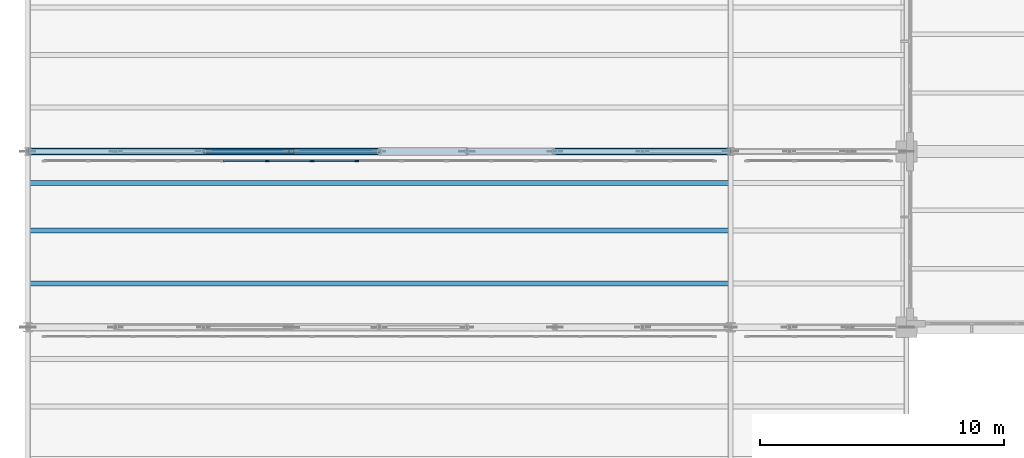
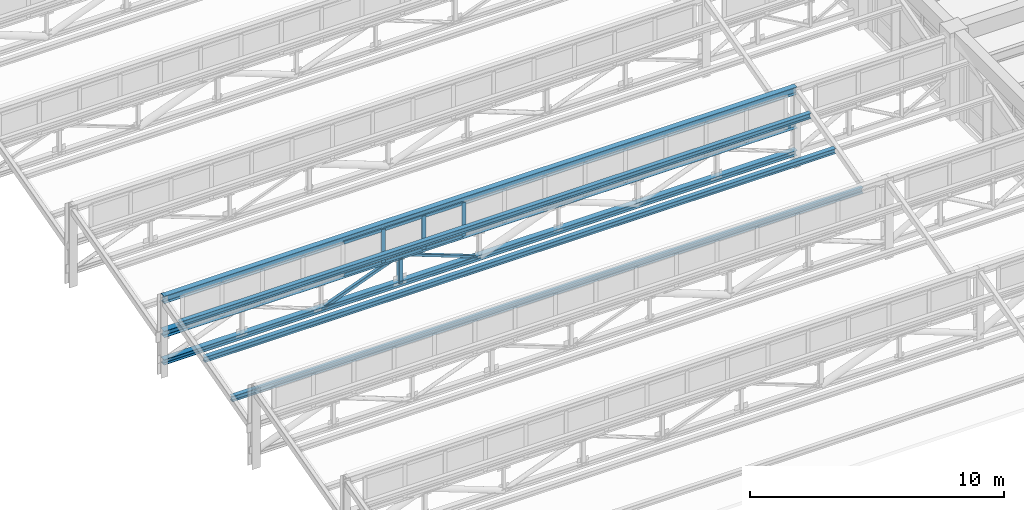
# One storey, part 14 of 98: 14 members, 4 beams, 1 element without a shape of its own.
"""IFC4 building model written with IfcOpenShell, lengths in metres."""

from ifc_helpers import new_model, si_unit, direction, frame, origin, origin_2d, place, context, subcontext, project, spatial, rectangle, hollow_rectangle, i_section, extrude, material, layer, layer_set, material_profile, profile_set, type_object, element, aggregate, save


model = new_model("IFC4")

# Units and contexts
model_context = context("Model", 3, precision=1e-05, world=origin(), true_north=direction((0.0, 1.0)))
body_context = subcontext(model_context, "Body", "Model", "MODEL_VIEW")
ifc_project = project(units=[si_unit("LENGTHUNIT", "METRE"), si_unit("AREAUNIT", "SQUARE_METRE"), si_unit("VOLUMEUNIT", "CUBIC_METRE"), si_unit("PLANEANGLEUNIT", "RADIAN"), si_unit("MASSUNIT", "GRAM", prefix="KILO")], contexts=[model_context])

# Site, building, storey
site_placement = place(None, origin())
site = spatial("IfcSite", under=ifc_project, at=site_placement, CompositionType="ELEMENT")
building_placement = place(site_placement, origin())
building = spatial("IfcBuilding", under=site, at=building_placement, Name="Solenvale Faculty of Natural Sciences", CompositionType="ELEMENT")
storey_placement = place(building_placement, frame((0.0, 0.0, 9.0)))
storey = spatial("IfcBuildingStorey", under=building, at=storey_placement, Name="L02", CompositionType="ELEMENT", Elevation=9.0)

# Beams
ifc_material_1 = material(Name="Steel S355", Category="steel")
ifc_material_profile_1 = material_profile(ifc_material_1, i_section(OverallWidth=0.202880859375, OverallDepth=0.251953125, WebThickness=0.008056640625, FlangeThickness=0.013427734375, FilletRadius=0.012939453125, at=origin_2d()), Name="W250x58")
ifc_profile_set_1 = profile_set([ifc_material_profile_1], Name="Steel S355")
beam_type_1 = type_object("IfcBeamType", Name="BM-PRL-W250x58", PredefinedType="JOIST", material=ifc_profile_set_1)
for number, where, z_axis, x_axis, name in (
    (1, (0.0, 16.199951171875, 2.17919921875), (1.0, 0.0, 0.0), (0.0, 1.0, 0.0), "V1 Sawtooth Purlin 3.1.1"),
    (2, (0.0, 18.360107421875, 2.75830078125), (1.0, 0.0, 0.0), (0.0, 1.0, 0.0), "V1 Sawtooth Purlin 3.1.2"),
    (3, (0.0, 20.303955078125, 3.279296875), (1.0, 0.0, 0.0), (0.0, 1.0, 0.0), "V1 Sawtooth Purlin 3.1.3"),
):
    element("IfcBeam", number, at=place(storey_placement, frame(where, z_axis=z_axis, x_axis=x_axis)), inside=storey, type_object=beam_type_1, Name=name, PredefinedType="JOIST", context=body_context, shape_type="SweptSolid", body=[
        extrude(i_section(OverallWidth=0.202880859375, OverallDepth=0.251953125, WebThickness=0.008056640625, FlangeThickness=0.013427734375, FilletRadius=0.012939453125, at=origin_2d()), origin(), (0.0, 0.0, 1.0), 28.7041015625),
    ])
ifc_material_profile_2 = material_profile(ifc_material_1, i_section(OverallWidth=0.2548828125, OverallDepth=0.35693359375, WebThickness=0.010498046875, FlangeThickness=0.018310546875, FilletRadius=0.014892578125, at=origin_2d()), Name="W360x101")
ifc_profile_set_2 = profile_set([ifc_material_profile_2], Name="Steel S355")
beam_type_2 = type_object("IfcBeamType", Name="BM-STL-W360x101", PredefinedType="JOIST", material=ifc_profile_set_2)
beam_placement = place(storey_placement, frame((0.0, 21.60009765625, 3.68896484375), z_axis=(1.0, 0.0, 0.0), x_axis=(0.0, 1.0, 0.0)))
element("IfcBeam", 4, at=beam_placement, inside=storey, type_object=beam_type_2, Name="V1 Sawtooth Clerestory Ridge Beam 3.1", PredefinedType="JOIST", context=body_context, shape_type="SweptSolid", body=[
    extrude(i_section(OverallWidth=0.2548828125, OverallDepth=0.35693359375, WebThickness=0.010498046875, FlangeThickness=0.018310546875, FilletRadius=0.014892578125, at=origin_2d()), origin(), (0.0, 0.0, 1.0), 28.800048828125),
])

# Curtain wall, members
ifc_material_2 = material(Name="Anodised bronze aluminium", Category="aluminium")
ifc_layer = layer(ifc_material_2, 0.1650390625)
ifc_layer_set = layer_set([ifc_layer], Name="Anodised bronze aluminium")
curtain_wall_type = type_object("IfcCurtainWallType", Name="CW-SAW-CLR", PredefinedType="USERDEFINED", material=ifc_layer_set)
curtain_wall_placement = place(storey_placement, origin())
curtain_wall = element("IfcCurtainWall", 5, at=curtain_wall_placement, inside=storey, type_object=curtain_wall_type, Name="L02 Curtain Wall SAW-V1-CW-3-1", ObjectType="NORTH LIGHT CLERESTORY", PredefinedType="USERDEFINED")
ifc_material_profile_3 = material_profile(ifc_material_2, rectangle(XDim=0.06494140625, YDim=0.175048828125, at=origin_2d()), Name="ALU-MUL-65x175")
ifc_profile_set_3 = profile_set([ifc_material_profile_3], Name="Anodised bronze aluminium")
member_type_1 = type_object("IfcMemberType", Name="CWM-ALU-65x175", PredefinedType="MULLION", material=ifc_profile_set_3)
member_1_placement = place(storey_placement, frame((13.482666015625, 21.219970703125, 2.22998046875), z_axis=(0.0, 0.0, 1.0), x_axis=(0.0, -1.0, 0.0)))
member_1 = element("IfcMember", 6, at=member_1_placement, type_object=member_type_1, Name="CW-05 mullion 9", PredefinedType="MULLION", context=body_context, shape_type="SweptSolid", body=[
    extrude(rectangle(XDim=0.06494140625, YDim=0.175048828125, at=origin_2d()), origin(), (0.0, 0.0, 1.0), 1.610107421875),
])
member_2_placement = place(storey_placement, frame((11.64794921875, 21.219970703125, 2.22998046875), z_axis=(0.0, 0.0, 1.0), x_axis=(0.0, -1.0, 0.0)))
member_2 = element("IfcMember", 7, at=member_2_placement, type_object=member_type_1, Name="CW-05 mullion 10", PredefinedType="MULLION", context=body_context, shape_type="SweptSolid", body=[
    extrude(rectangle(XDim=0.06494140625, YDim=0.175048828125, at=origin_2d()), origin(), (0.0, 0.0, 1.0), 1.610107421875),
])
member_3_placement = place(storey_placement, frame((9.813232421875, 21.219970703125, 2.22998046875), z_axis=(0.0, 0.0, 1.0), x_axis=(0.0, -1.0, 0.0)))
member_3 = element("IfcMember", 8, at=member_3_placement, type_object=member_type_1, Name="CW-05 mullion 11", PredefinedType="MULLION", context=body_context, shape_type="SweptSolid", body=[
    extrude(rectangle(XDim=0.06494140625, YDim=0.175048828125, at=origin_2d()), origin(), (0.0, 0.0, 1.0), 1.610107421875),
])
ifc_material_profile_4 = material_profile(ifc_material_2, rectangle(XDim=0.06494140625, YDim=0.135009765625, at=origin_2d()), Name="ALU-TRN-65x135")
ifc_profile_set_4 = profile_set([ifc_material_profile_4], Name="Anodised bronze aluminium")
member_type_2 = type_object("IfcMemberType", Name="CWT-ALU-65x135", PredefinedType="USERDEFINED", material=ifc_profile_set_4)
member_4_placement = place(storey_placement, frame((13.4501953125, 21.219970703125, 2.262451171875), z_axis=(-1.0, 0.0, 0.0), x_axis=(0.0, -1.0, 0.0)))
member_4 = element("IfcMember", 9, at=member_4_placement, type_object=member_type_2, Name="CW-05 transom 9.1", ObjectType="TRANSOM", PredefinedType="USERDEFINED", context=body_context, shape_type="SweptSolid", body=[
    extrude(rectangle(XDim=0.06494140625, YDim=0.135009765625, at=origin_2d()), origin(), (0.0, 0.0, 1.0), 1.769775390625),
])
member_5_placement = place(storey_placement, frame((13.4501953125, 21.219970703125, 3.8076171875), z_axis=(-1.0, 0.0, 0.0), x_axis=(0.0, -1.0, 0.0)))
member_5 = element("IfcMember", 10, at=member_5_placement, type_object=member_type_2, Name="CW-05 transom 9.2", ObjectType="TRANSOM", PredefinedType="USERDEFINED", context=body_context, shape_type="SweptSolid", body=[
    extrude(rectangle(XDim=0.06494140625, YDim=0.135009765625, at=origin_2d()), origin(), (0.0, 0.0, 1.0), 1.769775390625),
])
member_6_placement = place(storey_placement, frame((11.615478515625, 21.219970703125, 2.262451171875), z_axis=(-1.0, 0.0, 0.0), x_axis=(0.0, -1.0, 0.0)))
member_6 = element("IfcMember", 11, at=member_6_placement, type_object=member_type_2, Name="CW-05 transom 10.1", ObjectType="TRANSOM", PredefinedType="USERDEFINED", context=body_context, shape_type="SweptSolid", body=[
    extrude(rectangle(XDim=0.06494140625, YDim=0.135009765625, at=origin_2d()), origin(), (0.0, 0.0, 1.0), 1.76953125),
])
member_7_placement = place(storey_placement, frame((11.615478515625, 21.219970703125, 3.8076171875), z_axis=(-1.0, 0.0, 0.0), x_axis=(0.0, -1.0, 0.0)))
member_7 = element("IfcMember", 12, at=member_7_placement, type_object=member_type_2, Name="CW-05 transom 10.2", ObjectType="TRANSOM", PredefinedType="USERDEFINED", context=body_context, shape_type="SweptSolid", body=[
    extrude(rectangle(XDim=0.06494140625, YDim=0.135009765625, at=origin_2d()), origin(), (0.0, 0.0, 1.0), 1.76953125),
])
member_8_placement = place(storey_placement, frame((9.78076171875, 21.219970703125, 2.262451171875), z_axis=(-1.0, 0.0, 0.0), x_axis=(0.0, -1.0, 0.0)))
member_8 = element("IfcMember", 13, at=member_8_placement, type_object=member_type_2, Name="CW-05 transom 11.1", ObjectType="TRANSOM", PredefinedType="USERDEFINED", context=body_context, shape_type="SweptSolid", body=[
    extrude(rectangle(XDim=0.06494140625, YDim=0.135009765625, at=origin_2d()), origin(), (0.0, 0.0, 1.0), 1.76953125),
])
member_9_placement = place(storey_placement, frame((9.78076171875, 21.219970703125, 3.8076171875), z_axis=(-1.0, 0.0, 0.0), x_axis=(0.0, -1.0, 0.0)))
member_9 = element("IfcMember", 14, at=member_9_placement, type_object=member_type_2, Name="CW-05 transom 11.2", ObjectType="TRANSOM", PredefinedType="USERDEFINED", context=body_context, shape_type="SweptSolid", body=[
    extrude(rectangle(XDim=0.06494140625, YDim=0.135009765625, at=origin_2d()), origin(), (0.0, 0.0, 1.0), 1.76953125),
])
aggregate(curtain_wall, [member_1, member_2, member_3, member_4, member_5, member_6, member_7, member_8, member_9])

# Members
ifc_material_profile_5 = material_profile(ifc_material_1, hollow_rectangle(XDim=0.126953125, YDim=0.126953125, WallThickness=0.008056640625, InnerFilletRadius=0.008056640625, OuterFilletRadius=0.01611328125, at=origin_2d()), Name="HSS127x127x8.0")
ifc_profile_set_5 = profile_set([ifc_material_profile_5], Name="Steel S355")
member_type_3 = type_object("IfcMemberType", Name="MB-BRC-HSS127", PredefinedType="BRACE", material=ifc_profile_set_5)
member_10_placement = place(storey_placement, frame((10.800048828125, 21.60009765625, 2.050048828125), z_axis=(0.935458110384, 0.0, -0.353437581075), x_axis=(0.0, 1.0, 0.0)))
element("IfcMember", 15, at=member_10_placement, inside=storey, type_object=member_type_3, Name="V1 Truss 3.1 Diagonal 4", PredefinedType="BRACE", context=body_context, shape_type="SweptSolid", body=[
    extrude(hollow_rectangle(XDim=0.126953125, YDim=0.126953125, WallThickness=0.008056640625, InnerFilletRadius=0.008056640625, OuterFilletRadius=0.01611328125, at=origin_2d()), origin(), (0.0, 0.0, 1.0), 3.84814453125),
])
ifc_material_profile_6 = material_profile(ifc_material_1, hollow_rectangle(XDim=0.152099609375, YDim=0.152099609375, WallThickness=0.009521484375, InnerFilletRadius=0.009521484375, OuterFilletRadius=0.01904296875, at=origin_2d()), Name="HSS152x152x9.5")
ifc_profile_set_6 = profile_set([ifc_material_profile_6], Name="Steel S355")
member_type_4 = type_object("IfcMemberType", Name="MB-BRC-HSS152", PredefinedType="BRACE", material=ifc_profile_set_6)
member_11_placement = place(storey_placement, frame((7.199951171875, 21.60009765625, 0.68994140625), z_axis=(0.935466034784, 0.0, 0.353416606522), x_axis=(0.0, 1.0, 0.0)))
element("IfcMember", 16, at=member_11_placement, inside=storey, type_object=member_type_4, Name="V1 Truss 3.1 Diagonal 3", PredefinedType="BRACE", context=body_context, shape_type="SweptSolid", body=[
    extrude(hollow_rectangle(XDim=0.152099609375, YDim=0.152099609375, WallThickness=0.009521484375, InnerFilletRadius=0.009521484375, OuterFilletRadius=0.01904296875, at=origin_2d()), origin(), (0.0, 0.0, 1.0), 3.848388671875),
])
ifc_material_profile_7 = material_profile(ifc_material_1, i_section(OverallWidth=0.256103515625, OverallDepth=0.260009765625, WebThickness=0.0107421875, FlangeThickness=0.017333984375, FilletRadius=0.012939453125, at=origin_2d()), Name="W250x89")
ifc_profile_set_7 = profile_set([ifc_material_profile_7], Name="Steel S355")
member_type_5 = type_object("IfcMemberType", Name="MB-CHD-W250x89", PredefinedType="CHORD", material=ifc_profile_set_7)
member_12_placement = place(storey_placement, frame((0.0, 21.60009765625, 0.68994140625), z_axis=(1.0, 0.0, 0.0), x_axis=(0.0, 1.0, 0.0)))
element("IfcMember", 17, at=member_12_placement, inside=storey, type_object=member_type_5, Name="V1 Truss 3.1 Bottom Chord", PredefinedType="CHORD", context=body_context, shape_type="SweptSolid", body=[
    extrude(i_section(OverallWidth=0.256103515625, OverallDepth=0.260009765625, WebThickness=0.0107421875, FlangeThickness=0.017333984375, FilletRadius=0.012939453125, at=origin_2d()), origin(), (0.0, 0.0, 1.0), 28.800048828125),
])
ifc_material_profile_8 = material_profile(ifc_material_1, i_section(OverallWidth=0.304931640625, OverallDepth=0.30810546875, WebThickness=0.010009765625, FlangeThickness=0.015380859375, FilletRadius=0.014892578125, at=origin_2d()), Name="W310x97")
ifc_profile_set_8 = profile_set([ifc_material_profile_8], Name="Steel S355")
member_type_6 = type_object("IfcMemberType", Name="MB-CHD-W310x97", PredefinedType="CHORD", material=ifc_profile_set_8)
member_13_placement = place(storey_placement, frame((0.0, 21.60009765625, 2.050048828125), z_axis=(1.0, 0.0, 0.0), x_axis=(0.0, 1.0, 0.0)))
element("IfcMember", 18, at=member_13_placement, inside=storey, type_object=member_type_6, Name="V1 Truss 3.1 Top Chord", PredefinedType="CHORD", context=body_context, shape_type="SweptSolid", body=[
    extrude(i_section(OverallWidth=0.304931640625, OverallDepth=0.30810546875, WebThickness=0.010009765625, FlangeThickness=0.015380859375, FilletRadius=0.014892578125, at=origin_2d()), origin(), (0.0, 0.0, 1.0), 28.800048828125),
])
ifc_material_profile_9 = material_profile(ifc_material_1, hollow_rectangle(XDim=0.202880859375, YDim=0.202880859375, WallThickness=0.0126953125, InnerFilletRadius=0.0126953125, OuterFilletRadius=0.025390625, at=origin_2d()), Name="HSS203x203x13")
ifc_profile_set_9 = profile_set([ifc_material_profile_9], Name="Steel S355")
member_type_7 = type_object("IfcMemberType", Name="MB-STR-HSS203", PredefinedType="STRUT", material=ifc_profile_set_9)
member_14_placement = place(storey_placement, frame((10.800048828125, 21.60009765625, 0.68994140625), z_axis=(0.0, 0.0, 1.0), x_axis=(1.0, 0.0, 0.0)))
element("IfcMember", 19, at=member_14_placement, inside=storey, type_object=member_type_7, Name="V1 Truss 3.1 Strut 3", PredefinedType="STRUT", context=body_context, shape_type="SweptSolid", body=[
    extrude(hollow_rectangle(XDim=0.202880859375, YDim=0.202880859375, WallThickness=0.0126953125, InnerFilletRadius=0.0126953125, OuterFilletRadius=0.025390625, at=origin_2d()), origin(), (0.0, 0.0, 1.0), 1.360107421875),
])

save(model, "model.ifc")
